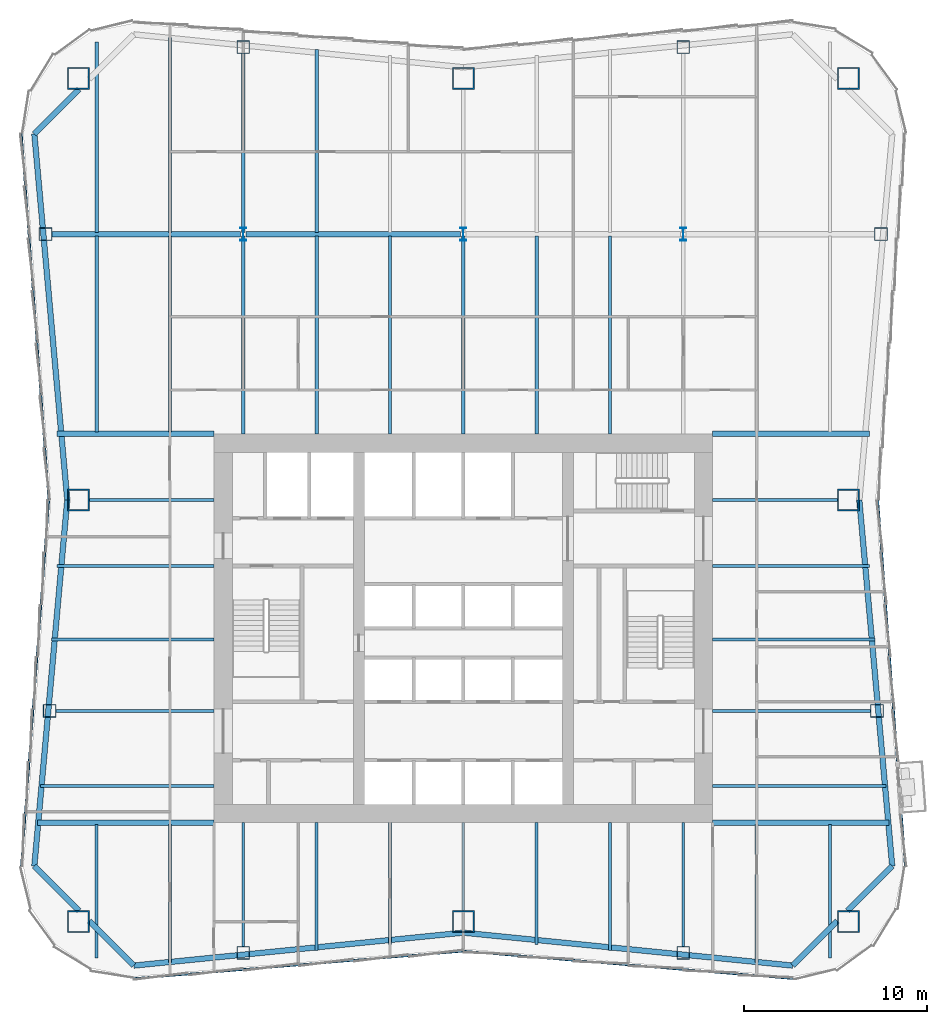
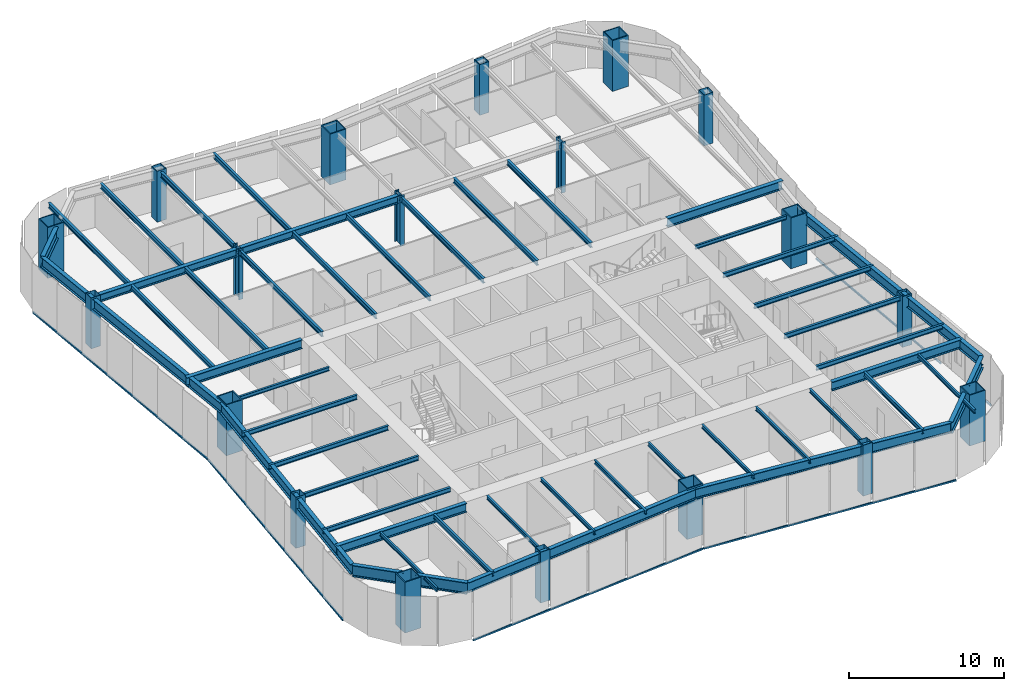
# One storey, part 1 of 9: 49 beams, 19 columns, 6 members, 3 elements without a shape of their own.
"""IFC4 building model written with IfcOpenShell, lengths in metres."""

from ifc_helpers import new_model, si_unit, direction, frame, origin, origin_2d, place, context, subcontext, project, spatial, rectangle, hollow_rectangle, i_section, extrude, material, material_profile, profile_set, type_object, element, aggregate, save


model = new_model("IFC4")

# Units and contexts
model_context = context("Model", 3, precision=1e-05, world=origin(), true_north=direction((0.0, 1.0)))
body_context = subcontext(model_context, "Body", "Model", "MODEL_VIEW")
ifc_project = project(units=[si_unit("LENGTHUNIT", "METRE"), si_unit("AREAUNIT", "SQUARE_METRE"), si_unit("VOLUMEUNIT", "CUBIC_METRE"), si_unit("PLANEANGLEUNIT", "RADIAN"), si_unit("MASSUNIT", "GRAM", prefix="KILO")], contexts=[model_context])

# Site, building, storey
site_placement = place(None, origin())
site = spatial("IfcSite", under=ifc_project, at=site_placement, CompositionType="ELEMENT")
building_placement = place(site_placement, origin())
building = spatial("IfcBuilding", under=site, at=building_placement, Name="Verdant Reach Tower", CompositionType="ELEMENT")
storey_placement = place(building_placement, frame((0.0, 0.0, 142.0)))
storey = spatial("IfcBuildingStorey", under=building, at=storey_placement, Name="L32", CompositionType="ELEMENT", Elevation=142.0)

# Columns
ifc_material_1 = material(Name="Steel S460", Category="steel")
ifc_material_profile_1 = material_profile(ifc_material_1, i_section(OverallWidth=0.30810546875, OverallDepth=0.716064453125, WebThickness=0.02099609375, FlangeThickness=0.0400390625, FilletRadius=0.027099609375, at=origin_2d()), Name="HEM 700")
ifc_profile_set_1 = profile_set([ifc_material_profile_1], Name="Steel S460")
column_type_1 = type_object("IfcColumnType", Name="ST-COL-HEM700", PredefinedType="COLUMN", material=ifc_profile_set_1)
for number, where, z_axis, x_axis, name in (
    (1, (-12.0, 49.5, 0.0), (0.0, 0.0, 1.0), (1.0, 0.0, 0.0), "Interior column 1, L32"),
    (2, (0.0, 49.5, 0.0), (0.0, 0.0, 1.0), (1.0, 0.0, 0.0), "Interior column 2, L32"),
    (3, (12.0, 49.5, 0.0), (0.0, 0.0, 1.0), (1.0, 0.0, 0.0), "Interior column 3, L32"),
):
    element("IfcColumn", number, at=place(storey_placement, frame(where, z_axis=z_axis, x_axis=x_axis)), inside=storey, type_object=column_type_1, Name=name, PredefinedType="COLUMN", context=body_context, shape_type="SweptSolid", body=[
        extrude(i_section(OverallWidth=0.30810546875, OverallDepth=0.716064453125, WebThickness=0.02099609375, FlangeThickness=0.0400390625, FilletRadius=0.027099609375, at=origin_2d()), origin(), (0.0, 0.0, 1.0), 4.0),
    ])
ifc_material_profile_2 = material_profile(ifc_material_1, hollow_rectangle(XDim=1.199951171875, YDim=1.199951171875, WallThickness=0.070068359375, at=origin_2d()), Name="WB 1200x1200x70")
ifc_profile_set_2 = profile_set([ifc_material_profile_2], Name="Steel S460")
column_type_2 = type_object("IfcColumnType", Name="ST-COL-WB1200x1200x70", PredefinedType="COLUMN", material=ifc_profile_set_2)
for number, where, z_axis, x_axis, name in (
    (4, (-21.0, 58.0, 0.0), (0.0, 0.0, 1.0), (1.0, 0.0, 0.0), "Mega column north-west, L32"),
    (5, (0.0, 58.0, 0.0), (0.0, 0.0, 1.0), (1.0, 0.0, 0.0), "Mega column north, L32"),
    (6, (21.0, 58.0, 0.0), (0.0, 0.0, 1.0), (1.0, 0.0, 0.0), "Mega column north-east, L32"),
    (7, (21.0, 35.0, 0.0), (0.0, 0.0, 1.0), (1.0, 0.0, 0.0), "Mega column east, L32"),
    (8, (21.0, 12.0, 0.0), (0.0, 0.0, 1.0), (1.0, 0.0, 0.0), "Mega column south-east, L32"),
    (9, (0.0, 12.0, 0.0), (0.0, 0.0, 1.0), (1.0, 0.0, 0.0), "Mega column south, L32"),
    (10, (-21.0, 12.0, 0.0), (0.0, 0.0, 1.0), (1.0, 0.0, 0.0), "Mega column south-west, L32"),
    (11, (-21.0, 35.0, 0.0), (0.0, 0.0, 1.0), (1.0, 0.0, 0.0), "Mega column west, L32"),
):
    element("IfcColumn", number, at=place(storey_placement, frame(where, z_axis=z_axis, x_axis=x_axis)), inside=storey, type_object=column_type_2, Name=name, PredefinedType="COLUMN", context=body_context, shape_type="SweptSolid", body=[
        extrude(hollow_rectangle(XDim=1.199951171875, YDim=1.199951171875, WallThickness=0.070068359375, at=origin_2d()), origin(), (0.0, 0.0, 1.0), 4.0),
    ])
ifc_material_profile_3 = material_profile(ifc_material_1, hollow_rectangle(XDim=0.699951171875, YDim=0.699951171875, WallThickness=0.030029296875, at=origin_2d()), Name="WB 700x700x30")
ifc_profile_set_3 = profile_set([ifc_material_profile_3], Name="Steel S460")
column_type_3 = type_object("IfcColumnType", Name="ST-COL-WB700x700x30", PredefinedType="COLUMN", material=ifc_profile_set_3)
for number, where, z_axis, x_axis, name in (
    (12, (-12.0, 59.699951171875, 0.0), (0.0, 0.0, 1.0), (1.0, 0.0, 0.0), "Perimeter column north 1, L32"),
    (13, (12.0, 59.699951171875, 0.0), (0.0, 0.0, 1.0), (1.0, 0.0, 0.0), "Perimeter column north 2, L32"),
    (14, (-12.0, 10.300048828125, 0.0), (0.0, 0.0, 1.0), (1.0, 0.0, 0.0), "Perimeter column south 1, L32"),
    (15, (12.0, 10.300048828125, 0.0), (0.0, 0.0, 1.0), (1.0, 0.0, 0.0), "Perimeter column south 2, L32"),
    (16, (22.5625, 23.5, 0.0), (0.0, 0.0, 1.0), (1.0, 0.0, 0.0), "Perimeter column east 1, L32"),
    (17, (22.78759765625, 49.5, 0.0), (0.0, 0.0, 1.0), (1.0, 0.0, 0.0), "Perimeter column east 2, L32"),
    (18, (-22.5625, 23.5, 0.0), (0.0, 0.0, 1.0), (1.0, 0.0, 0.0), "Perimeter column west 1, L32"),
    (19, (-22.78759765625, 49.5, 0.0), (0.0, 0.0, 1.0), (1.0, 0.0, 0.0), "Perimeter column west 2, L32"),
):
    element("IfcColumn", number, at=place(storey_placement, frame(where, z_axis=z_axis, x_axis=x_axis)), inside=storey, type_object=column_type_3, Name=name, PredefinedType="COLUMN", context=body_context, shape_type="SweptSolid", body=[
        extrude(hollow_rectangle(XDim=0.699951171875, YDim=0.699951171875, WallThickness=0.030029296875, at=origin_2d()), origin(), (0.0, 0.0, 1.0), 4.0),
    ])

# Curtain wall, members
ifc_material_2 = material(Name="Anodised aluminium", Category="aluminium")
curtain_wall_type = type_object("IfcCurtainWallType", Name="EN-CW SYSTEM Z2", PredefinedType="NOTDEFINED", material=ifc_material_2)
curtain_wall_1_placement = place(storey_placement, origin())
curtain_wall_1 = element("IfcCurtainWall", 20, at=curtain_wall_1_placement, inside=storey, type_object=curtain_wall_type, Name="Curtain wall east, L32", PredefinedType="NOTDEFINED")
ifc_material_profile_4 = material_profile(ifc_material_2, rectangle(XDim=0.10009765625, YDim=0.1240234375, at=origin_2d()), Name="Transom 124x100")
ifc_profile_set_4 = profile_set([ifc_material_profile_4], Name="Anodised aluminium")
member_type = type_object("IfcMemberType", Name="EN-TRANSOM Z2", PredefinedType="USERDEFINED", material=ifc_profile_set_4)
member_1_placement = place(storey_placement, frame((24.103515625, 15.025390625, -0.2880859375), z_axis=(-0.074481699415, 0.997222380641, 0.0), x_axis=(-0.997222380641, -0.074481699415, 0.0)))
member_1 = element("IfcMember", 21, at=member_1_placement, type_object=member_type, Name="Transom east face part 1 1.1, L32", ObjectType="TRANSOM", PredefinedType="USERDEFINED", context=body_context, shape_type="SweptSolid", body=[
    extrude(rectangle(XDim=0.10009765625, YDim=0.1240234375, at=origin_2d()), origin(), (0.0, 0.0, 1.0), 2.815673828125),
])
member_2_placement = place(storey_placement, frame((23.6748046875, 20.754150390625, -0.2880859375), z_axis=(-0.074815496642, 0.997197393429, 0.0), x_axis=(-0.997197393429, -0.074815496642, 0.0)))
member_2 = element("IfcMember", 22, at=member_2_placement, type_object=member_type, Name="Transom east face part 1 2.1, L32", ObjectType="TRANSOM", PredefinedType="USERDEFINED", context=body_context, shape_type="SweptSolid", body=[
    extrude(rectangle(XDim=0.10009765625, YDim=0.1240234375, at=origin_2d()), origin(), (0.0, 0.0, 1.0), 14.25390625),
])
aggregate(curtain_wall_1, [member_1, member_2])

curtain_wall_2_placement = place(storey_placement, origin())
curtain_wall_2 = element("IfcCurtainWall", 23, at=curtain_wall_2_placement, inside=storey, type_object=curtain_wall_type, Name="Curtain wall west, L32", PredefinedType="NOTDEFINED")
member_3_placement = place(storey_placement, frame((-24.103515625, 54.974609375, -0.2880859375), z_axis=(0.07476111665, -0.997201471839, 0.0), x_axis=(0.997201471839, 0.07476111665, 0.0)))
member_3 = element("IfcMember", 24, at=member_3_placement, type_object=member_type, Name="Transom west face part 1 1.1, L32", ObjectType="TRANSOM", PredefinedType="USERDEFINED", context=body_context, shape_type="SweptSolid", body=[
    extrude(rectangle(XDim=0.10009765625, YDim=0.1240234375, at=origin_2d()), origin(), (0.0, 0.0, 1.0), 19.99853515625),
])
member_4_placement = place(storey_placement, frame((-22.6083984375, 34.968017578125, -0.2880859375), z_axis=(-0.07476111665, -0.997201471839, 0.0), x_axis=(0.997201471839, -0.07476111665, 0.0)))
member_4 = element("IfcMember", 25, at=member_4_placement, type_object=member_type, Name="Transom west face part 2 1.1, L32", ObjectType="TRANSOM", PredefinedType="USERDEFINED", context=body_context, shape_type="SweptSolid", body=[
    extrude(rectangle(XDim=0.10009765625, YDim=0.1240234375, at=origin_2d()), origin(), (0.0, 0.0, 1.0), 19.99853515625),
])
aggregate(curtain_wall_2, [member_3, member_4])

curtain_wall_3_placement = place(storey_placement, origin())
curtain_wall_3 = element("IfcCurtainWall", 26, at=curtain_wall_3_placement, inside=storey, type_object=curtain_wall_type, Name="Curtain wall south, L32", PredefinedType="NOTDEFINED")
member_5_placement = place(storey_placement, frame((-17.97412109375, 8.896728515625, -0.2880859375), z_axis=(0.996548282776, 0.083015179915, 0.0), x_axis=(-0.083015179915, 0.996548282776, 0.0)))
member_5 = element("IfcMember", 27, at=member_5_placement, type_object=member_type, Name="Transom south face part 1 1.1, L32", ObjectType="TRANSOM", PredefinedType="USERDEFINED", context=body_context, shape_type="SweptSolid", body=[
    extrude(rectangle(XDim=0.10009765625, YDim=0.1240234375, at=origin_2d()), origin(), (0.0, 0.0, 1.0), 18.00439453125),
])
member_6_placement = place(storey_placement, frame((0.031982421875, 10.391357421875, -0.2880859375), z_axis=(0.996548282776, -0.083015179915, 0.0), x_axis=(0.083015179915, 0.996548282776, 0.0)))
member_6 = element("IfcMember", 28, at=member_6_placement, type_object=member_type, Name="Transom south face part 2 1.1, L32", ObjectType="TRANSOM", PredefinedType="USERDEFINED", context=body_context, shape_type="SweptSolid", body=[
    extrude(rectangle(XDim=0.10009765625, YDim=0.1240234375, at=origin_2d()), origin(), (0.0, 0.0, 1.0), 18.00439453125),
])
aggregate(curtain_wall_3, [member_5, member_6])

# Beams
ifc_material_3 = material(Name="Steel S355", Category="steel")
ifc_material_profile_5 = material_profile(ifc_material_3, i_section(OverallWidth=0.300048828125, OverallDepth=0.60009765625, WebThickness=0.015380859375, FlangeThickness=0.030029296875, FilletRadius=0.027099609375, at=origin_2d()), Name="HEB 600")
ifc_profile_set_5 = profile_set([ifc_material_profile_5], Name="Steel S355")
beam_type_1 = type_object("IfcBeamType", Name="ST-BEAM-HEB600", PredefinedType="BEAM", material=ifc_profile_set_5)
beam_1_placement = place(storey_placement, frame((-22.4375, 49.5, 3.570068359375), z_axis=(1.0, 0.0, 0.0), x_axis=(0.0, 1.0, 0.0)))
element("IfcBeam", 29, at=beam_1_placement, inside=storey, type_object=beam_type_1, Name="Row girder, L32", PredefinedType="BEAM", context=body_context, shape_type="SweptSolid", body=[
    extrude(i_section(OverallWidth=0.300048828125, OverallDepth=0.60009765625, WebThickness=0.015380859375, FlangeThickness=0.030029296875, FilletRadius=0.027099609375, at=origin_2d()), origin(), (0.0, 0.0, 1.0), 10.283447265625),
])
beam_2_placement = place(storey_placement, frame((-11.845947265625, 49.5, 3.570068359375), z_axis=(1.0, 0.0, 0.0), x_axis=(0.0, 1.0, 0.0)))
element("IfcBeam", 30, at=beam_2_placement, inside=storey, type_object=beam_type_1, Name="Row girder, L32", PredefinedType="BEAM", context=body_context, shape_type="SweptSolid", body=[
    extrude(i_section(OverallWidth=0.300048828125, OverallDepth=0.60009765625, WebThickness=0.015380859375, FlangeThickness=0.030029296875, FilletRadius=0.027099609375, at=origin_2d()), origin(), (0.0, 0.0, 1.0), 11.69189453125),
])
ifc_material_profile_6 = material_profile(ifc_material_3, i_section(OverallWidth=0.300048828125, OverallDepth=0.699951171875, WebThickness=0.01708984375, FlangeThickness=0.031982421875, FilletRadius=0.027099609375, at=origin_2d()), Name="HEB 700")
ifc_profile_set_6 = profile_set([ifc_material_profile_6], Name="Steel S355")
beam_type_2 = type_object("IfcBeamType", Name="ST-BEAM-HEB700", PredefinedType="BEAM", material=ifc_profile_set_6)
for number, where, z_axis, x_axis, name in (
    (31, (13.60009765625, 38.60009765625, 3.52001953125), (1.0, 0.0, 0.0), (0.0, 1.0, 0.0), "Trimmer beam, L32"),
    (32, (-13.60009765625, 38.60009765625, 3.52001953125), (-1.0, 0.0, 0.0), (0.0, -1.0, 0.0), "Trimmer beam, L32"),
):
    element("IfcBeam", number, at=place(storey_placement, frame(where, z_axis=z_axis, x_axis=x_axis)), inside=storey, type_object=beam_type_2, Name=name, PredefinedType="BEAM", context=body_context, shape_type="SweptSolid", body=[
        extrude(i_section(OverallWidth=0.300048828125, OverallDepth=0.699951171875, WebThickness=0.01708984375, FlangeThickness=0.031982421875, FilletRadius=0.027099609375, at=origin_2d()), origin(), (0.0, 0.0, 1.0), 8.568115234375),
    ])
for number, where, z_axis, x_axis, name in (
    (33, (13.60009765625, 17.39990234375, 3.52001953125), (1.0, 0.0, 0.0), (0.0, 1.0, 0.0), "Trimmer beam, L32"),
    (34, (-13.60009765625, 17.39990234375, 3.52001953125), (-1.0, 0.0, 0.0), (0.0, -1.0, 0.0), "Trimmer beam, L32"),
):
    element("IfcBeam", number, at=place(storey_placement, frame(where, z_axis=z_axis, x_axis=x_axis)), inside=storey, type_object=beam_type_2, Name=name, PredefinedType="BEAM", context=body_context, shape_type="SweptSolid", body=[
        extrude(i_section(OverallWidth=0.300048828125, OverallDepth=0.699951171875, WebThickness=0.01708984375, FlangeThickness=0.031982421875, FilletRadius=0.027099609375, at=origin_2d()), origin(), (0.0, 0.0, 1.0), 9.6181640625),
    ])
ifc_material_profile_7 = material_profile(ifc_material_3, i_section(OverallWidth=0.14990234375, OverallDepth=0.300048828125, WebThickness=0.007080078125, FlangeThickness=0.0107421875, FilletRadius=0.014892578125, at=origin_2d()), Name="IPE 300")
ifc_profile_set_7 = profile_set([ifc_material_profile_7], Name="Steel S355")
beam_type_3 = type_object("IfcBeamType", Name="ST-JOIST-IPE300", PredefinedType="JOIST", material=ifc_profile_set_7)
beam_3_placement = place(storey_placement, frame((-20.0, 17.300048828125, 3.719970703125), z_axis=(0.0, -1.0, 0.0), x_axis=(1.0, 0.0, 0.0)))
element("IfcBeam", 35, at=beam_3_placement, inside=storey, type_object=beam_type_3, Name="Floor joist, L32", PredefinedType="JOIST", context=body_context, shape_type="SweptSolid", body=[
    extrude(i_section(OverallWidth=0.14990234375, OverallDepth=0.300048828125, WebThickness=0.007080078125, FlangeThickness=0.0107421875, FilletRadius=0.014892578125, at=origin_2d()), origin(), (0.0, 0.0, 1.0), 7.29052734375),
])
beam_4_placement = place(storey_placement, frame((-12.0, 17.39990234375, 3.719970703125), z_axis=(0.0, -1.0, 0.0), x_axis=(1.0, 0.0, 0.0)))
element("IfcBeam", 36, at=beam_4_placement, inside=storey, type_object=beam_type_3, Name="Floor joist, L32", PredefinedType="JOIST", context=body_context, shape_type="SweptSolid", body=[
    extrude(i_section(OverallWidth=0.14990234375, OverallDepth=0.300048828125, WebThickness=0.007080078125, FlangeThickness=0.0107421875, FilletRadius=0.014892578125, at=origin_2d()), origin(), (0.0, 0.0, 1.0), 6.75),
])
beam_5_placement = place(storey_placement, frame((-8.0, 17.39990234375, 3.719970703125), z_axis=(0.0, -1.0, 0.0), x_axis=(1.0, 0.0, 0.0)))
element("IfcBeam", 37, at=beam_5_placement, inside=storey, type_object=beam_type_3, Name="Floor joist, L32", PredefinedType="JOIST", context=body_context, shape_type="SweptSolid", body=[
    extrude(i_section(OverallWidth=0.14990234375, OverallDepth=0.300048828125, WebThickness=0.007080078125, FlangeThickness=0.0107421875, FilletRadius=0.014892578125, at=origin_2d()), origin(), (0.0, 0.0, 1.0), 6.964599609375),
])
beam_6_placement = place(storey_placement, frame((-4.0, 17.39990234375, 3.719970703125), z_axis=(0.0, -1.0, 0.0), x_axis=(1.0, 0.0, 0.0)))
element("IfcBeam", 38, at=beam_6_placement, inside=storey, type_object=beam_type_3, Name="Floor joist, L32", PredefinedType="JOIST", context=body_context, shape_type="SweptSolid", body=[
    extrude(i_section(OverallWidth=0.14990234375, OverallDepth=0.300048828125, WebThickness=0.007080078125, FlangeThickness=0.0107421875, FilletRadius=0.014892578125, at=origin_2d()), origin(), (0.0, 0.0, 1.0), 6.631103515625),
])
beam_7_placement = place(storey_placement, frame((0.0, 17.39990234375, 3.719970703125), z_axis=(0.0, -1.0, 0.0), x_axis=(1.0, 0.0, 0.0)))
element("IfcBeam", 39, at=beam_7_placement, inside=storey, type_object=beam_type_3, Name="Floor joist, L32", PredefinedType="JOIST", context=body_context, shape_type="SweptSolid", body=[
    extrude(i_section(OverallWidth=0.14990234375, OverallDepth=0.300048828125, WebThickness=0.007080078125, FlangeThickness=0.0107421875, FilletRadius=0.014892578125, at=origin_2d()), origin(), (0.0, 0.0, 1.0), 4.7998046875),
])
beam_8_placement = place(storey_placement, frame((4.0, 17.39990234375, 3.719970703125), z_axis=(0.0, -1.0, 0.0), x_axis=(1.0, 0.0, 0.0)))
element("IfcBeam", 40, at=beam_8_placement, inside=storey, type_object=beam_type_3, Name="Floor joist, L32", PredefinedType="JOIST", context=body_context, shape_type="SweptSolid", body=[
    extrude(i_section(OverallWidth=0.14990234375, OverallDepth=0.300048828125, WebThickness=0.007080078125, FlangeThickness=0.0107421875, FilletRadius=0.014892578125, at=origin_2d()), origin(), (0.0, 0.0, 1.0), 6.631103515625),
])
beam_9_placement = place(storey_placement, frame((8.0, 17.39990234375, 3.719970703125), z_axis=(0.0, -1.0, 0.0), x_axis=(1.0, 0.0, 0.0)))
element("IfcBeam", 41, at=beam_9_placement, inside=storey, type_object=beam_type_3, Name="Floor joist, L32", PredefinedType="JOIST", context=body_context, shape_type="SweptSolid", body=[
    extrude(i_section(OverallWidth=0.14990234375, OverallDepth=0.300048828125, WebThickness=0.007080078125, FlangeThickness=0.0107421875, FilletRadius=0.014892578125, at=origin_2d()), origin(), (0.0, 0.0, 1.0), 6.964599609375),
])
beam_10_placement = place(storey_placement, frame((12.0, 17.39990234375, 3.719970703125), z_axis=(0.0, -1.0, 0.0), x_axis=(1.0, 0.0, 0.0)))
element("IfcBeam", 42, at=beam_10_placement, inside=storey, type_object=beam_type_3, Name="Floor joist, L32", PredefinedType="JOIST", context=body_context, shape_type="SweptSolid", body=[
    extrude(i_section(OverallWidth=0.14990234375, OverallDepth=0.300048828125, WebThickness=0.007080078125, FlangeThickness=0.0107421875, FilletRadius=0.014892578125, at=origin_2d()), origin(), (0.0, 0.0, 1.0), 6.75),
])
beam_11_placement = place(storey_placement, frame((20.0, 17.300048828125, 3.719970703125), z_axis=(0.0, -1.0, 0.0), x_axis=(1.0, 0.0, 0.0)))
element("IfcBeam", 43, at=beam_11_placement, inside=storey, type_object=beam_type_3, Name="Floor joist, L32", PredefinedType="JOIST", context=body_context, shape_type="SweptSolid", body=[
    extrude(i_section(OverallWidth=0.14990234375, OverallDepth=0.300048828125, WebThickness=0.007080078125, FlangeThickness=0.0107421875, FilletRadius=0.014892578125, at=origin_2d()), origin(), (0.0, 0.0, 1.0), 7.29052734375),
])
for number, where, z_axis, x_axis, name in (
    (44, (13.60009765625, 35.0, 3.719970703125), (1.0, 0.0, 0.0), (0.0, 1.0, 0.0), "Floor joist, L32"),
    (45, (-13.60009765625, 35.0, 3.719970703125), (-1.0, 0.0, 0.0), (0.0, -1.0, 0.0), "Floor joist, L32"),
):
    element("IfcBeam", number, at=place(storey_placement, frame(where, z_axis=z_axis, x_axis=x_axis)), inside=storey, type_object=beam_type_3, Name=name, PredefinedType="JOIST", context=body_context, shape_type="SweptSolid", body=[
        extrude(i_section(OverallWidth=0.14990234375, OverallDepth=0.300048828125, WebThickness=0.007080078125, FlangeThickness=0.0107421875, FilletRadius=0.014892578125, at=origin_2d()), origin(), (0.0, 0.0, 1.0), 6.7998046875),
    ])
ifc_material_profile_8 = material_profile(ifc_material_3, i_section(OverallWidth=0.169921875, OverallDepth=0.360107421875, WebThickness=0.008056640625, FlangeThickness=0.0126953125, FilletRadius=0.01806640625, at=origin_2d()), Name="IPE 360")
ifc_profile_set_8 = profile_set([ifc_material_profile_8], Name="Steel S355")
beam_type_4 = type_object("IfcBeamType", Name="ST-JOIST-IPE360", PredefinedType="JOIST", material=ifc_profile_set_8)
for number, where, z_axis, x_axis, name in (
    (46, (-16.0, 17.300048828125, 3.68994140625), (0.0, -1.0, 0.0), (1.0, 0.0, 0.0), "Floor joist, L32"),
    (47, (16.0, 17.300048828125, 3.68994140625), (0.0, -1.0, 0.0), (1.0, 0.0, 0.0), "Floor joist, L32"),
):
    element("IfcBeam", number, at=place(storey_placement, frame(where, z_axis=z_axis, x_axis=x_axis)), inside=storey, type_object=beam_type_4, Name=name, PredefinedType="JOIST", context=body_context, shape_type="SweptSolid", body=[
        extrude(i_section(OverallWidth=0.169921875, OverallDepth=0.360107421875, WebThickness=0.008056640625, FlangeThickness=0.0126953125, FilletRadius=0.01806640625, at=origin_2d()), origin(), (0.0, 0.0, 1.0), 7.53125),
    ])
for number, where, z_axis, x_axis, name in (
    (48, (13.60009765625, 19.39990234375, 3.68994140625), (1.0, 0.0, 0.0), (0.0, 1.0, 0.0), "Floor joist, L32"),
    (49, (-13.60009765625, 19.39990234375, 3.68994140625), (-1.0, 0.0, 0.0), (0.0, -1.0, 0.0), "Floor joist, L32"),
):
    element("IfcBeam", number, at=place(storey_placement, frame(where, z_axis=z_axis, x_axis=x_axis)), inside=storey, type_object=beam_type_4, Name=name, PredefinedType="JOIST", context=body_context, shape_type="SweptSolid", body=[
        extrude(i_section(OverallWidth=0.169921875, OverallDepth=0.360107421875, WebThickness=0.008056640625, FlangeThickness=0.0126953125, FilletRadius=0.01806640625, at=origin_2d()), origin(), (0.0, 0.0, 1.0), 9.46826171875),
    ])
for number, where, z_axis, x_axis, name in (
    (50, (13.60009765625, 23.5, 3.68994140625), (1.0, 0.0, 0.0), (0.0, 1.0, 0.0), "Floor joist, L32"),
    (51, (-13.60009765625, 23.5, 3.68994140625), (-1.0, 0.0, 0.0), (0.0, -1.0, 0.0), "Floor joist, L32"),
):
    element("IfcBeam", number, at=place(storey_placement, frame(where, z_axis=z_axis, x_axis=x_axis)), inside=storey, type_object=beam_type_4, Name=name, PredefinedType="JOIST", context=body_context, shape_type="SweptSolid", body=[
        extrude(i_section(OverallWidth=0.169921875, OverallDepth=0.360107421875, WebThickness=0.008056640625, FlangeThickness=0.0126953125, FilletRadius=0.01806640625, at=origin_2d()), origin(), (0.0, 0.0, 1.0), 8.6123046875),
    ])
for number, where, z_axis, x_axis, name in (
    (52, (13.60009765625, 27.39990234375, 3.68994140625), (1.0, 0.0, 0.0), (0.0, 1.0, 0.0), "Floor joist, L32"),
    (53, (-13.60009765625, 27.39990234375, 3.68994140625), (-1.0, 0.0, 0.0), (0.0, -1.0, 0.0), "Floor joist, L32"),
):
    element("IfcBeam", number, at=place(storey_placement, frame(where, z_axis=z_axis, x_axis=x_axis)), inside=storey, type_object=beam_type_4, Name=name, PredefinedType="JOIST", context=body_context, shape_type="SweptSolid", body=[
        extrude(i_section(OverallWidth=0.169921875, OverallDepth=0.360107421875, WebThickness=0.008056640625, FlangeThickness=0.0126953125, FilletRadius=0.01806640625, at=origin_2d()), origin(), (0.0, 0.0, 1.0), 8.8681640625),
    ])
for number, where, z_axis, x_axis, name in (
    (54, (13.60009765625, 31.39990234375, 3.68994140625), (1.0, 0.0, 0.0), (0.0, 1.0, 0.0), "Floor joist, L32"),
    (55, (-13.60009765625, 31.39990234375, 3.68994140625), (-1.0, 0.0, 0.0), (0.0, -1.0, 0.0), "Floor joist, L32"),
):
    element("IfcBeam", number, at=place(storey_placement, frame(where, z_axis=z_axis, x_axis=x_axis)), inside=storey, type_object=beam_type_4, Name=name, PredefinedType="JOIST", context=body_context, shape_type="SweptSolid", body=[
        extrude(i_section(OverallWidth=0.169921875, OverallDepth=0.360107421875, WebThickness=0.008056640625, FlangeThickness=0.0126953125, FilletRadius=0.01806640625, at=origin_2d()), origin(), (0.0, 0.0, 1.0), 8.568115234375),
    ])
ifc_material_profile_9 = material_profile(ifc_material_3, i_section(OverallWidth=0.179931640625, OverallDepth=0.39990234375, WebThickness=0.008544921875, FlangeThickness=0.013427734375, FilletRadius=0.02099609375, at=origin_2d()), Name="IPE 400")
ifc_profile_set_9 = profile_set([ifc_material_profile_9], Name="Steel S355")
beam_type_5 = type_object("IfcBeamType", Name="ST-JOIST-IPE400", PredefinedType="JOIST", material=ifc_profile_set_9)
beam_12_placement = place(storey_placement, frame((-20.0, 38.699951171875, 3.669921875), z_axis=(0.0, 1.0, 0.0), x_axis=(-1.0, 0.0, 0.0)))
element("IfcBeam", 56, at=beam_12_placement, inside=storey, type_object=beam_type_5, Name="Floor joist, L32", PredefinedType="JOIST", context=body_context, shape_type="SweptSolid", body=[
    extrude(i_section(OverallWidth=0.179931640625, OverallDepth=0.39990234375, WebThickness=0.008544921875, FlangeThickness=0.013427734375, FilletRadius=0.02099609375, at=origin_2d()), origin(), (0.0, 0.0, 1.0), 10.699951171875),
])
beam_13_placement = place(storey_placement, frame((-20.0, 49.60009765625, 3.669921875), z_axis=(0.0, 1.0, 0.0), x_axis=(-1.0, 0.0, 0.0)))
element("IfcBeam", 57, at=beam_13_placement, inside=storey, type_object=beam_type_5, Name="Floor joist, L32", PredefinedType="JOIST", context=body_context, shape_type="SweptSolid", body=[
    extrude(i_section(OverallWidth=0.179931640625, OverallDepth=0.39990234375, WebThickness=0.008544921875, FlangeThickness=0.013427734375, FilletRadius=0.02099609375, at=origin_2d()), origin(), (0.0, 0.0, 1.0), 10.390380859375),
])
beam_14_placement = place(storey_placement, frame((-16.0, 38.699951171875, 3.669921875), z_axis=(0.0, 1.0, 0.0), x_axis=(-1.0, 0.0, 0.0)))
element("IfcBeam", 58, at=beam_14_placement, inside=storey, type_object=beam_type_5, Name="Floor joist, L32", PredefinedType="JOIST", context=body_context, shape_type="SweptSolid", body=[
    extrude(i_section(OverallWidth=0.179931640625, OverallDepth=0.39990234375, WebThickness=0.008544921875, FlangeThickness=0.013427734375, FilletRadius=0.02099609375, at=origin_2d()), origin(), (0.0, 0.0, 1.0), 10.699951171875),
])
beam_15_placement = place(storey_placement, frame((-16.0, 49.60009765625, 3.669921875), z_axis=(0.0, 1.0, 0.0), x_axis=(-1.0, 0.0, 0.0)))
element("IfcBeam", 59, at=beam_15_placement, inside=storey, type_object=beam_type_5, Name="Floor joist, L32", PredefinedType="JOIST", context=body_context, shape_type="SweptSolid", body=[
    extrude(i_section(OverallWidth=0.179931640625, OverallDepth=0.39990234375, WebThickness=0.008544921875, FlangeThickness=0.013427734375, FilletRadius=0.02099609375, at=origin_2d()), origin(), (0.0, 0.0, 1.0), 10.631103515625),
])
beam_16_placement = place(storey_placement, frame((-12.0, 38.60009765625, 3.669921875), z_axis=(0.0, 1.0, 0.0), x_axis=(-1.0, 0.0, 0.0)))
element("IfcBeam", 60, at=beam_16_placement, inside=storey, type_object=beam_type_5, Name="Floor joist, L32", PredefinedType="JOIST", context=body_context, shape_type="SweptSolid", body=[
    extrude(i_section(OverallWidth=0.179931640625, OverallDepth=0.39990234375, WebThickness=0.008544921875, FlangeThickness=0.013427734375, FilletRadius=0.02099609375, at=origin_2d()), origin(), (0.0, 0.0, 1.0), 10.7998046875),
])
beam_17_placement = place(storey_placement, frame((-12.0, 49.60009765625, 3.669921875), z_axis=(0.0, 1.0, 0.0), x_axis=(-1.0, 0.0, 0.0)))
element("IfcBeam", 61, at=beam_17_placement, inside=storey, type_object=beam_type_5, Name="Floor joist, L32", PredefinedType="JOIST", context=body_context, shape_type="SweptSolid", body=[
    extrude(i_section(OverallWidth=0.179931640625, OverallDepth=0.39990234375, WebThickness=0.008544921875, FlangeThickness=0.013427734375, FilletRadius=0.02099609375, at=origin_2d()), origin(), (0.0, 0.0, 1.0), 9.75),
])
beam_18_placement = place(storey_placement, frame((-8.0, 38.60009765625, 3.669921875), z_axis=(0.0, 1.0, 0.0), x_axis=(-1.0, 0.0, 0.0)))
element("IfcBeam", 62, at=beam_18_placement, inside=storey, type_object=beam_type_5, Name="Floor joist, L32", PredefinedType="JOIST", context=body_context, shape_type="SweptSolid", body=[
    extrude(i_section(OverallWidth=0.179931640625, OverallDepth=0.39990234375, WebThickness=0.008544921875, FlangeThickness=0.013427734375, FilletRadius=0.02099609375, at=origin_2d()), origin(), (0.0, 0.0, 1.0), 10.7998046875),
])
beam_19_placement = place(storey_placement, frame((-8.0, 49.60009765625, 3.669921875), z_axis=(0.0, 1.0, 0.0), x_axis=(-1.0, 0.0, 0.0)))
element("IfcBeam", 63, at=beam_19_placement, inside=storey, type_object=beam_type_5, Name="Floor joist, L32", PredefinedType="JOIST", context=body_context, shape_type="SweptSolid", body=[
    extrude(i_section(OverallWidth=0.179931640625, OverallDepth=0.39990234375, WebThickness=0.008544921875, FlangeThickness=0.013427734375, FilletRadius=0.02099609375, at=origin_2d()), origin(), (0.0, 0.0, 1.0), 9.964599609375),
])
for number, where, z_axis, x_axis, name in (
    (64, (-4.0, 38.60009765625, 3.669921875), (0.0, 1.0, 0.0), (-1.0, 0.0, 0.0), "Floor joist, L32"),
    (65, (0.0, 38.60009765625, 3.669921875), (0.0, 1.0, 0.0), (-1.0, 0.0, 0.0), "Floor joist, L32"),
    (66, (4.0, 38.60009765625, 3.669921875), (0.0, 1.0, 0.0), (-1.0, 0.0, 0.0), "Floor joist, L32"),
    (67, (8.0, 38.60009765625, 3.669921875), (0.0, 1.0, 0.0), (-1.0, 0.0, 0.0), "Floor joist, L32"),
):
    element("IfcBeam", number, at=place(storey_placement, frame(where, z_axis=z_axis, x_axis=x_axis)), inside=storey, type_object=beam_type_5, Name=name, PredefinedType="JOIST", context=body_context, shape_type="SweptSolid", body=[
        extrude(i_section(OverallWidth=0.179931640625, OverallDepth=0.39990234375, WebThickness=0.008544921875, FlangeThickness=0.013427734375, FilletRadius=0.02099609375, at=origin_2d()), origin(), (0.0, 0.0, 1.0), 10.7998046875),
    ])
ifc_material_profile_10 = material_profile(ifc_material_3, i_section(OverallWidth=0.300048828125, OverallDepth=0.800048828125, WebThickness=0.017578125, FlangeThickness=0.032958984375, FilletRadius=0.030029296875, at=origin_2d()), Name="HEB 800")
ifc_profile_set_10 = profile_set([ifc_material_profile_10], Name="Steel S355")
beam_type_6 = type_object("IfcBeamType", Name="ST-SPANDREL-HEB800", PredefinedType="SPANDREL", material=ifc_profile_set_10)
for number, where, z_axis, x_axis, name in (
    (68, (17.9658203125, 9.60498046875, 3.469970703125), (-0.995046289869, 0.099412680371, 0.0), (-0.099412680371, -0.995046289869, 0.0), "Edge beam, L32"),
    (69, (0.0, 11.39990234375, 3.469970703125), (-0.995046289869, -0.099412680371, 0.0), (0.099412680371, -0.995046289869, 0.0), "Edge beam, L32"),
):
    element("IfcBeam", number, at=place(storey_placement, frame(where, z_axis=z_axis, x_axis=x_axis)), inside=storey, type_object=beam_type_6, Name=name, PredefinedType="SPANDREL", context=body_context, shape_type="SweptSolid", body=[
        extrude(i_section(OverallWidth=0.300048828125, OverallDepth=0.800048828125, WebThickness=0.017578125, FlangeThickness=0.032958984375, FilletRadius=0.030029296875, at=origin_2d()), origin(), (0.0, 0.0, 1.0), 18.05517578125),
    ])
for number, where, z_axis, x_axis, name in (
    (70, (-23.3955078125, 15.036865234375, 3.469970703125), (0.089574749266, 0.995980102358, 0.0), (-0.995980102358, 0.089574749266, 0.0), "Edge beam, L32"),
    (71, (-21.60009765625, 35.0, 3.469970703125), (-0.089574749266, 0.995980102358, 0.0), (-0.995980102358, -0.089574749266, 0.0), "Edge beam, L32"),
    (72, (21.60009765625, 35.0, 3.469970703125), (0.089574749266, -0.995980102358, 0.0), (0.995980102358, 0.089574749266, 0.0), "Edge beam, L32"),
):
    element("IfcBeam", number, at=place(storey_placement, frame(where, z_axis=z_axis, x_axis=x_axis)), inside=storey, type_object=beam_type_6, Name=name, PredefinedType="SPANDREL", context=body_context, shape_type="SweptSolid", body=[
        extrude(i_section(OverallWidth=0.300048828125, OverallDepth=0.800048828125, WebThickness=0.017578125, FlangeThickness=0.032958984375, FilletRadius=0.030029296875, at=origin_2d()), origin(), (0.0, 0.0, 1.0), 20.043701171875),
    ])
ifc_material_profile_11 = material_profile(ifc_material_3, i_section(OverallWidth=0.302001953125, OverallDepth=0.909912109375, WebThickness=0.02099609375, FlangeThickness=0.0400390625, FilletRadius=0.030029296875, at=origin_2d()), Name="HEM 900")
ifc_profile_set_11 = profile_set([ifc_material_profile_11], Name="Steel S355")
beam_type_7 = type_object("IfcBeamType", Name="ST-SPANDREL-HEM900", PredefinedType="SPANDREL", material=ifc_profile_set_11)
beam_20_placement = place(storey_placement, frame((-17.9658203125, 9.60498046875, 3.4150390625), z_axis=(-0.70696494852, 0.70724858541, 0.0), x_axis=(-0.70724858541, -0.70696494852, 0.0)))
element("IfcBeam", 73, at=beam_20_placement, inside=storey, type_object=beam_type_7, Name="Edge beam, L32", PredefinedType="SPANDREL", context=body_context, shape_type="SweptSolid", body=[
    extrude(i_section(OverallWidth=0.302001953125, OverallDepth=0.909912109375, WebThickness=0.02099609375, FlangeThickness=0.0400390625, FilletRadius=0.030029296875, at=origin_2d()), origin(), (0.0, 0.0, 1.0), 3.443115234375),
])
for number, where, z_axis, x_axis, name in (
    (74, (-20.959716796875, 12.60009765625, 3.4150390625), (-0.706965048022, 0.707248485948, 0.0), (-0.707248485948, -0.706965048022, 0.0), "Edge beam, L32"),
    (75, (-23.3955078125, 54.963134765625, 3.4150390625), (0.706965048022, 0.707248485948, 0.0), (-0.707248485948, 0.706965048022, 0.0), "Edge beam, L32"),
    (76, (23.3955078125, 15.036865234375, 3.4150390625), (-0.706965048022, -0.707248485948, 0.0), (0.707248485948, -0.706965048022, 0.0), "Edge beam, L32"),
):
    element("IfcBeam", number, at=place(storey_placement, frame(where, z_axis=z_axis, x_axis=x_axis)), inside=storey, type_object=beam_type_7, Name=name, PredefinedType="SPANDREL", context=body_context, shape_type="SweptSolid", body=[
        extrude(i_section(OverallWidth=0.302001953125, OverallDepth=0.909912109375, WebThickness=0.02099609375, FlangeThickness=0.0400390625, FilletRadius=0.030029296875, at=origin_2d()), origin(), (0.0, 0.0, 1.0), 3.4453125),
    ])
beam_21_placement = place(storey_placement, frame((20.39990234375, 12.0400390625, 3.4150390625), z_axis=(-0.70696494852, -0.70724858541, 0.0), x_axis=(0.70724858541, -0.70696494852, 0.0)))
element("IfcBeam", 77, at=beam_21_placement, inside=storey, type_object=beam_type_7, Name="Edge beam, L32", PredefinedType="SPANDREL", context=body_context, shape_type="SweptSolid", body=[
    extrude(i_section(OverallWidth=0.302001953125, OverallDepth=0.909912109375, WebThickness=0.02099609375, FlangeThickness=0.0400390625, FilletRadius=0.030029296875, at=origin_2d()), origin(), (0.0, 0.0, 1.0), 3.443115234375),
])

save(model, "model.ifc")
